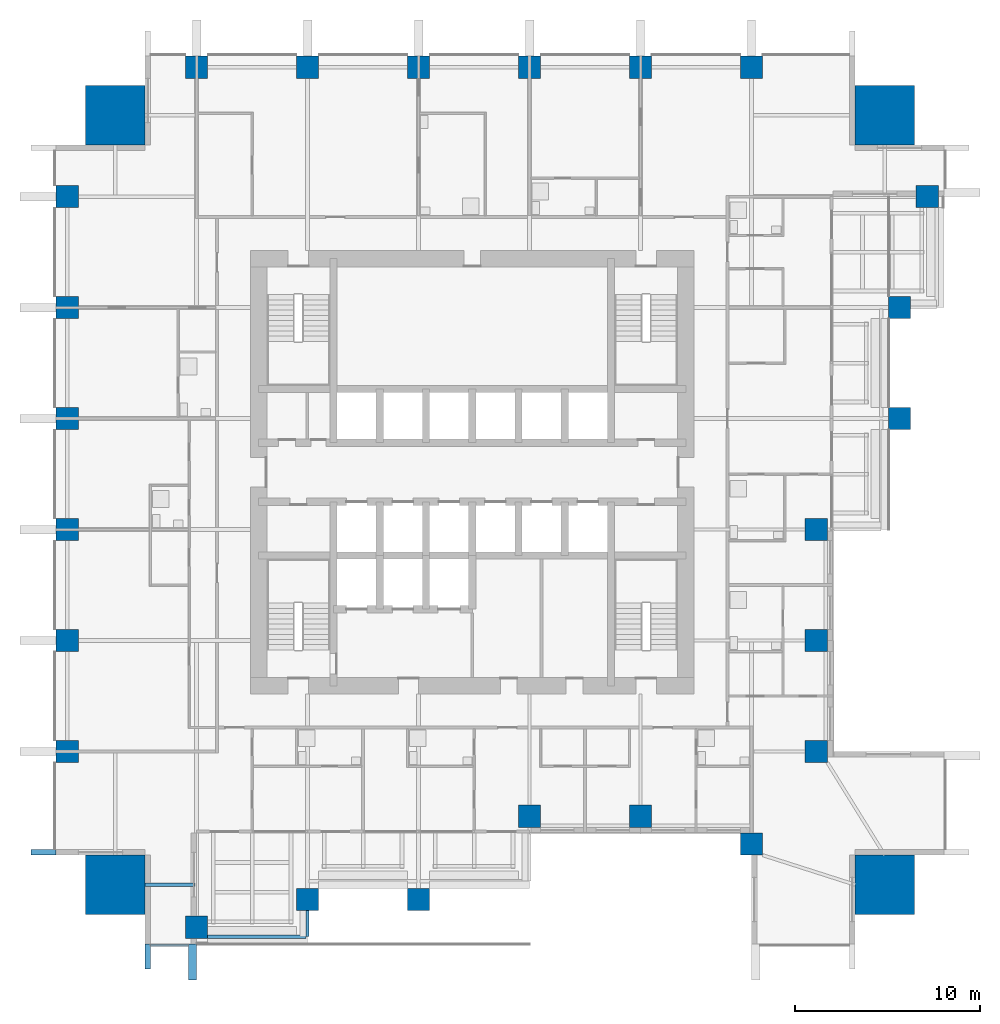
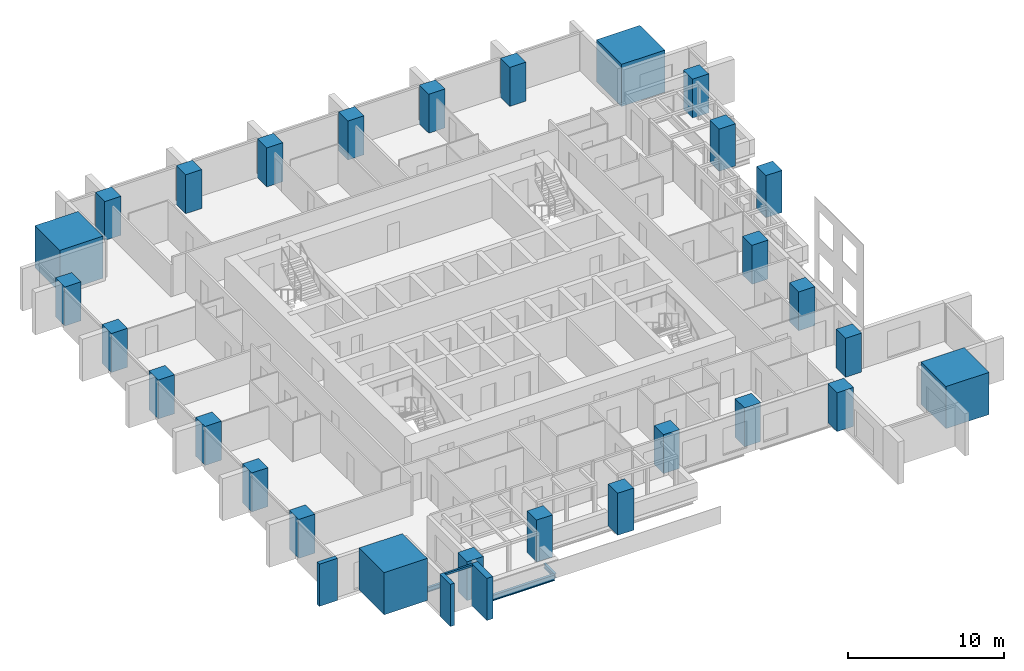
# One storey, part 1 of 15: 28 columns, 4 members, 3 beams, 2 elements without a shape of their own.
"""IFC4 building model written with IfcOpenShell, lengths in metres."""

from ifc_helpers import new_model, si_unit, direction, frame, origin, origin_2d, place, context, subcontext, project, spatial, rectangle, i_section, extrude, material, material_profile, profile_set, type_object, element, aggregate, save


model = new_model("IFC4")

# Units and contexts
model_context = context("Model", 3, precision=1e-05, world=origin(), true_north=direction((0.0, 1.0)))
body_context = subcontext(model_context, "Body", "Model", "MODEL_VIEW")
ifc_project = project(units=[si_unit("LENGTHUNIT", "METRE"), si_unit("AREAUNIT", "SQUARE_METRE"), si_unit("VOLUMEUNIT", "CUBIC_METRE"), si_unit("PLANEANGLEUNIT", "RADIAN"), si_unit("MASSUNIT", "GRAM", prefix="KILO")], contexts=[model_context])

# Site, building, storey
site_placement = place(None, origin())
site = spatial("IfcSite", under=ifc_project, at=site_placement, CompositionType="ELEMENT")
building_placement = place(site_placement, origin())
building = spatial("IfcBuilding", under=site, at=building_placement, Name="Amberfall Residences", CompositionType="ELEMENT")
storey_placement = place(building_placement, frame((0.0, 0.0, 53.199951171875)))
storey = spatial("IfcBuildingStorey", under=building, at=storey_placement, Name="L14", CompositionType="ELEMENT", Elevation=53.199951171875)

# Columns
ifc_material_1 = material(Name="Concrete C80", Category="concrete")
ifc_material_profile_1 = material_profile(ifc_material_1, rectangle(XDim=1.199951171875, YDim=1.199951171875, at=origin_2d()), Name="Column 1200 x 1200 C80")
ifc_profile_set_1 = profile_set([ifc_material_profile_1], Name="Concrete C80")
column_type_1 = type_object("IfcColumnType", Name="Column 1200 x 1200 C80", PredefinedType="COLUMN", material=ifc_profile_set_1)
column_placement = place(storey_placement, frame((59.60009765625, 20.89990234375, 0.0), z_axis=(0.0, 0.0, 1.0), x_axis=(1.0, 0.0, 0.0)))
element("IfcColumn", 1, at=column_placement, inside=storey, type_object=column_type_1, Name="Column C1 L14 S1", PredefinedType="COLUMN", context=body_context, shape_type="SweptSolid", body=[
    extrude(rectangle(XDim=1.199951171875, YDim=1.199951171875, at=origin_2d()), origin(), (0.0, 0.0, 1.0), 3.050048828125),
])
for number, where, z_axis, x_axis, name in (
    (2, (65.60009765625, 22.39990234375, 0.0), (0.0, 0.0, 1.0), (1.0, 0.0, 0.0), "Column C1 L14 S2"),
    (3, (71.60009765625, 22.39990234375, 0.0), (0.0, 0.0, 1.0), (1.0, 0.0, 0.0), "Column C1 L14 S3"),
):
    element("IfcColumn", number, at=place(storey_placement, frame(where, z_axis=z_axis, x_axis=x_axis)), inside=storey, type_object=column_type_1, Name=name, PredefinedType="COLUMN", context=body_context, shape_type="SweptSolid", body=[
        extrude(rectangle(XDim=1.199951171875, YDim=1.199951171875, at=origin_2d()), origin(), (0.0, 0.0, 1.0), 3.300048828125),
    ])
for number, where, z_axis, x_axis, name in (
    (4, (77.60009765625, 26.89990234375, 0.0), (0.0, 0.0, 1.0), (1.0, 0.0, 0.0), "Column C1 L14 S4"),
    (5, (83.60009765625, 26.89990234375, 0.0), (0.0, 0.0, 1.0), (1.0, 0.0, 0.0), "Column C1 L14 S5"),
    (6, (89.60009765625, 25.39990234375, 0.0), (0.0, 0.0, 1.0), (1.0, 0.0, 0.0), "Column C1 L14 S6"),
    (7, (93.10009765625, 30.39990234375, 0.0), (0.0, 0.0, 1.0), (1.0, 0.0, 0.0), "Column C1 L14 E1"),
    (8, (93.10009765625, 36.39990234375, 0.0), (0.0, 0.0, 1.0), (1.0, 0.0, 0.0), "Column C1 L14 E2"),
    (9, (93.10009765625, 42.39990234375, 0.0), (0.0, 0.0, 1.0), (1.0, 0.0, 0.0), "Column C1 L14 E3"),
):
    element("IfcColumn", number, at=place(storey_placement, frame(where, z_axis=z_axis, x_axis=x_axis)), inside=storey, type_object=column_type_1, Name=name, PredefinedType="COLUMN", context=body_context, shape_type="SweptSolid", body=[
        extrude(rectangle(XDim=1.199951171875, YDim=1.199951171875, at=origin_2d()), origin(), (0.0, 0.0, 1.0), 3.050048828125),
    ])
for number, where, z_axis, x_axis, name in (
    (10, (97.60009765625, 48.39990234375, 0.0), (0.0, 0.0, 1.0), (1.0, 0.0, 0.0), "Column C1 L14 E4"),
    (11, (97.60009765625, 54.39990234375, 0.0), (0.0, 0.0, 1.0), (1.0, 0.0, 0.0), "Column C1 L14 E5"),
):
    element("IfcColumn", number, at=place(storey_placement, frame(where, z_axis=z_axis, x_axis=x_axis)), inside=storey, type_object=column_type_1, Name=name, PredefinedType="COLUMN", context=body_context, shape_type="SweptSolid", body=[
        extrude(rectangle(XDim=1.199951171875, YDim=1.199951171875, at=origin_2d()), origin(), (0.0, 0.0, 1.0), 3.300048828125),
    ])
for number, where, z_axis, x_axis, name in (
    (12, (99.10009765625, 60.39990234375, 0.0), (0.0, 0.0, 1.0), (1.0, 0.0, 0.0), "Column C1 L14 E6"),
    (13, (59.60009765625, 67.39990234375, 0.0), (0.0, 0.0, 1.0), (1.0, 0.0, 0.0), "Column C1 L14 N1"),
    (14, (65.60009765625, 67.39990234375, 0.0), (0.0, 0.0, 1.0), (1.0, 0.0, 0.0), "Column C1 L14 N2"),
    (15, (71.60009765625, 67.39990234375, 0.0), (0.0, 0.0, 1.0), (1.0, 0.0, 0.0), "Column C1 L14 N3"),
    (16, (77.60009765625, 67.39990234375, 0.0), (0.0, 0.0, 1.0), (1.0, 0.0, 0.0), "Column C1 L14 N4"),
    (17, (83.60009765625, 67.39990234375, 0.0), (0.0, 0.0, 1.0), (1.0, 0.0, 0.0), "Column C1 L14 N5"),
    (18, (89.60009765625, 67.39990234375, 0.0), (0.0, 0.0, 1.0), (1.0, 0.0, 0.0), "Column C1 L14 N6"),
    (19, (52.60009765625, 30.39990234375, 0.0), (0.0, 0.0, 1.0), (1.0, 0.0, 0.0), "Column C1 L14 W1"),
    (20, (52.60009765625, 36.39990234375, 0.0), (0.0, 0.0, 1.0), (1.0, 0.0, 0.0), "Column C1 L14 W2"),
    (21, (52.60009765625, 42.39990234375, 0.0), (0.0, 0.0, 1.0), (1.0, 0.0, 0.0), "Column C1 L14 W3"),
    (22, (52.60009765625, 48.39990234375, 0.0), (0.0, 0.0, 1.0), (1.0, 0.0, 0.0), "Column C1 L14 W4"),
    (23, (52.60009765625, 54.39990234375, 0.0), (0.0, 0.0, 1.0), (1.0, 0.0, 0.0), "Column C1 L14 W5"),
    (24, (52.60009765625, 60.39990234375, 0.0), (0.0, 0.0, 1.0), (1.0, 0.0, 0.0), "Column C1 L14 W6"),
):
    element("IfcColumn", number, at=place(storey_placement, frame(where, z_axis=z_axis, x_axis=x_axis)), inside=storey, type_object=column_type_1, Name=name, PredefinedType="COLUMN", context=body_context, shape_type="SweptSolid", body=[
        extrude(rectangle(XDim=1.199951171875, YDim=1.199951171875, at=origin_2d()), origin(), (0.0, 0.0, 1.0), 3.050048828125),
    ])
ifc_material_profile_2 = material_profile(ifc_material_1, rectangle(XDim=3.199951171875, YDim=3.199951171875, at=origin_2d()), Name="Mega column 3200 x 3200 C80")
ifc_profile_set_2 = profile_set([ifc_material_profile_2], Name="Concrete C80")
column_type_2 = type_object("IfcColumnType", Name="Mega column 3200 x 3200 C80", PredefinedType="COLUMN", material=ifc_profile_set_2)
for number, where, z_axis, x_axis, name in (
    (25, (55.199951171875, 23.199951171875, 0.0), (0.0, 0.0, 1.0), (1.0, 0.0, 0.0), "Mega column MC1 L14 SW"),
    (26, (96.800048828125, 23.199951171875, 0.0), (0.0, 0.0, 1.0), (1.0, 0.0, 0.0), "Mega column MC1 L14 SE"),
    (27, (96.800048828125, 64.800048828125, 0.0), (0.0, 0.0, 1.0), (1.0, 0.0, 0.0), "Mega column MC1 L14 NE"),
    (28, (55.199951171875, 64.800048828125, 0.0), (0.0, 0.0, 1.0), (1.0, 0.0, 0.0), "Mega column MC1 L14 NW"),
):
    element("IfcColumn", number, at=place(storey_placement, frame(where, z_axis=z_axis, x_axis=x_axis)), inside=storey, type_object=column_type_2, Name=name, PredefinedType="COLUMN", context=body_context, shape_type="SweptSolid", body=[
        extrude(rectangle(XDim=3.199951171875, YDim=3.199951171875, at=origin_2d()), origin(), (0.0, 0.0, 1.0), 3.300048828125),
    ])

# Curtain wall, member
ifc_material_2 = material(Name="Bronze anodised aluminium and glass", Category="aluminium")
curtain_wall_type = type_object("IfcCurtainWallType", Name="Curtain wall CW1 tower unit", PredefinedType="USERDEFINED", material=ifc_material_2)
curtain_wall_1_placement = place(storey_placement, origin())
curtain_wall_1 = element("IfcCurtainWall", 29, at=curtain_wall_1_placement, inside=storey, type_object=curtain_wall_type, Name="Curtain wall L14 S S1", ObjectType="UNITISED CURTAIN WALL", PredefinedType="USERDEFINED")
ifc_material_3 = material(Name="Bronze anodised aluminium", Category="aluminium")
ifc_material_profile_3 = material_profile(ifc_material_3, rectangle(XDim=0.14990234375, YDim=0.14990234375, at=origin_2d()), Name="CW1 transom 150 x 150 bronze")
ifc_profile_set_3 = profile_set([ifc_material_profile_3], Name="Bronze anodised aluminium")
member_type_1 = type_object("IfcMemberType", Name="CW1 transom 150 x 150 bronze", PredefinedType="USERDEFINED", material=ifc_profile_set_3)
member_1_placement = place(storey_placement, frame((57.10009765625, 19.925048828125, 2.97509765625), z_axis=(1.0, 0.0, 0.0), x_axis=(0.0, 1.0, 0.0)))
member_1 = element("IfcMember", 30, at=member_1_placement, type_object=member_type_1, Name="CW1 transom 1.1", ObjectType="TRANSOM", PredefinedType="USERDEFINED", context=body_context, shape_type="SweptSolid", body=[
    extrude(rectangle(XDim=0.14990234375, YDim=0.14990234375, at=origin_2d()), origin(), (0.0, 0.0, 1.0), 2.0498046875),
])

# Beam
ifc_material_4 = material(Name="Steel S355", Category="steel")
ifc_material_profile_4 = material_profile(ifc_material_4, i_section(OverallWidth=0.171142578125, OverallDepth=0.351318359375, WebThickness=0.007080078125, FlangeThickness=0.009765625, FilletRadius=0.01025390625, at=origin_2d()), Name="UB 356x171x45")
ifc_profile_set_4 = profile_set([ifc_material_profile_4], Name="Steel S355")
beam_type_1 = type_object("IfcBeamType", Name="Cantilever girder UB 356x171x45", PredefinedType="BEAM", material=ifc_profile_set_4)
beam_1_placement = place(storey_placement, frame((65.60009765625, 21.800048828125, -0.425537109375), z_axis=(0.0, -1.0, 0.0), x_axis=(1.0, 0.0, 0.0)))
element("IfcBeam", 31, at=beam_1_placement, inside=storey, type_object=beam_type_1, Name="Cantilever girder B8 L14 06", PredefinedType="BEAM", context=body_context, shape_type="SweptSolid", body=[
    extrude(i_section(OverallWidth=0.171142578125, OverallDepth=0.351318359375, WebThickness=0.007080078125, FlangeThickness=0.009765625, FilletRadius=0.01025390625, at=origin_2d()), origin(), (0.0, 0.0, 1.0), 1.400146484375),
])

# Member
ifc_material_profile_5 = material_profile(ifc_material_3, rectangle(XDim=1.35009765625, YDim=0.300048828125, at=origin_2d()), Name="Corner fin 300 x 1350 bronze")
ifc_profile_set_5 = profile_set([ifc_material_profile_5], Name="Bronze anodised aluminium")
member_type_2 = type_object("IfcMemberType", Name="Corner fin 300 x 1350 bronze", PredefinedType="MULLION", material=ifc_profile_set_5)
member_2_placement = place(storey_placement, frame((56.949951171875, 19.324951171875, -0.25), z_axis=(0.0, 0.0, 1.0), x_axis=(0.0, 1.0, 0.0)))
member_2 = element("IfcMember", 32, at=member_2_placement, type_object=member_type_2, Name="CW FIN 1", PredefinedType="MULLION", context=body_context, shape_type="SweptSolid", body=[
    extrude(rectangle(XDim=1.35009765625, YDim=0.300048828125, at=origin_2d()), origin(), (0.0, 0.0, 1.0), 3.300048828125),
])

# Curtain wall, member
curtain_wall_2_placement = place(storey_placement, origin())
curtain_wall_2 = element("IfcCurtainWall", 33, at=curtain_wall_2_placement, inside=storey, type_object=curtain_wall_type, Name="Curtain wall L14 W W1", ObjectType="UNITISED CURTAIN WALL", PredefinedType="USERDEFINED")
member_3_placement = place(storey_placement, frame((51.324951171875, 24.949951171875, -0.25), z_axis=(0.0, 0.0, 1.0), x_axis=(1.0, 0.0, 0.0)))
member_3 = element("IfcMember", 34, at=member_3_placement, type_object=member_type_2, Name="CW FIN 8", PredefinedType="MULLION", context=body_context, shape_type="SweptSolid", body=[
    extrude(rectangle(XDim=1.35009765625, YDim=0.300048828125, at=origin_2d()), origin(), (0.0, 0.0, 1.0), 3.300048828125),
])
aggregate(curtain_wall_2, [member_3])

# Beam
ifc_material_profile_6 = material_profile(ifc_material_4, i_section(OverallWidth=0.18994140625, OverallDepth=0.453369140625, WebThickness=0.008544921875, FlangeThickness=0.0126953125, FilletRadius=0.01025390625, at=origin_2d()), Name="UB 457x191x67")
ifc_profile_set_6 = profile_set([ifc_material_profile_6], Name="Steel S355")
beam_type_2 = type_object("IfcBeamType", Name="Edge beam UB 457x191x67", PredefinedType="SPANDREL", material=ifc_profile_set_6)
beam_2_placement = place(storey_placement, frame((60.199951171875, 20.39990234375, -0.4765625), z_axis=(1.0, 0.0, 0.0), x_axis=(0.0, 1.0, 0.0)))
element("IfcBeam", 35, at=beam_2_placement, inside=storey, type_object=beam_type_2, Name="Edge beam B1 L14 01", PredefinedType="SPANDREL", context=body_context, shape_type="SweptSolid", body=[
    extrude(i_section(OverallWidth=0.18994140625, OverallDepth=0.453369140625, WebThickness=0.008544921875, FlangeThickness=0.0126953125, FilletRadius=0.01025390625, at=origin_2d()), origin(), (0.0, 0.0, 1.0), 5.320068359375),
])

# Member
ifc_material_profile_7 = material_profile(ifc_material_3, rectangle(XDim=1.949951171875, YDim=0.449951171875, at=origin_2d()), Name="Fin 450 x 1950 bronze")
ifc_profile_set_7 = profile_set([ifc_material_profile_7], Name="Bronze anodised aluminium")
member_type_3 = type_object("IfcMemberType", Name="Fin 450 x 1950 bronze", PredefinedType="MULLION", material=ifc_profile_set_7)
member_4_placement = place(storey_placement, frame((59.375, 19.02490234375, -0.25), z_axis=(0.0, 0.0, 1.0), x_axis=(0.0, 1.0, 0.0)))
member_4 = element("IfcMember", 36, at=member_4_placement, type_object=member_type_3, Name="CW FIN 2", PredefinedType="MULLION", context=body_context, shape_type="SweptSolid", body=[
    extrude(rectangle(XDim=1.949951171875, YDim=0.449951171875, at=origin_2d()), origin(), (0.0, 0.0, 1.0), 3.300048828125),
])

aggregate(curtain_wall_1, [member_2, member_4, member_1])

# Beam
ifc_material_profile_8 = material_profile(ifc_material_4, i_section(OverallWidth=0.171142578125, OverallDepth=0.351318359375, WebThickness=0.007080078125, FlangeThickness=0.009765625, FilletRadius=0.01025390625, at=origin_2d()), Name="UB 356x171x45")
ifc_profile_set_8 = profile_set([ifc_material_profile_8], Name="Steel S355")
beam_type_3 = type_object("IfcBeamType", Name="Link beam UB 356x171x45", PredefinedType="BEAM", material=ifc_profile_set_8)
beam_3_placement = place(storey_placement, frame((56.800048828125, 23.199951171875, -0.425537109375), z_axis=(1.0, 0.0, 0.0), x_axis=(0.0, 1.0, 0.0)))
element("IfcBeam", 37, at=beam_3_placement, inside=storey, type_object=beam_type_3, Name="Link beam B7 L14 49", PredefinedType="BEAM", context=body_context, shape_type="SweptSolid", body=[
    extrude(i_section(OverallWidth=0.171142578125, OverallDepth=0.351318359375, WebThickness=0.007080078125, FlangeThickness=0.009765625, FilletRadius=0.01025390625, at=origin_2d()), origin(), (0.0, 0.0, 1.0), 2.70458984375),
])

save(model, "model.ifc")
